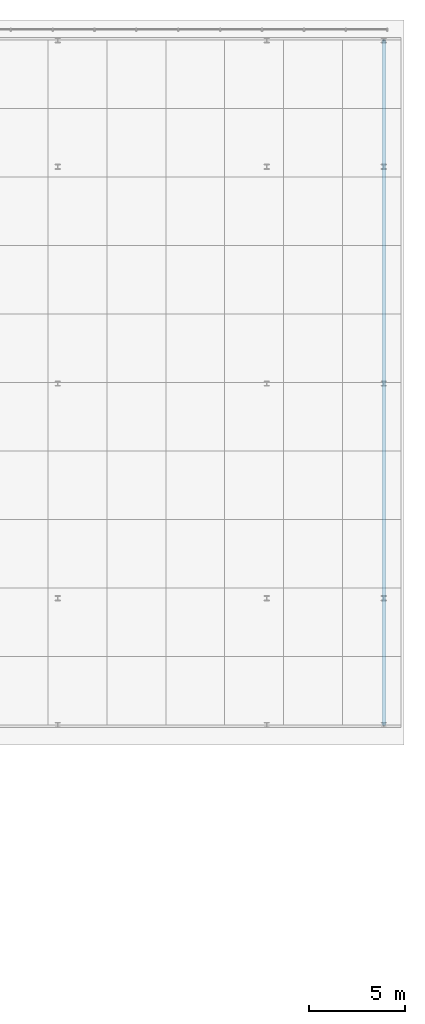
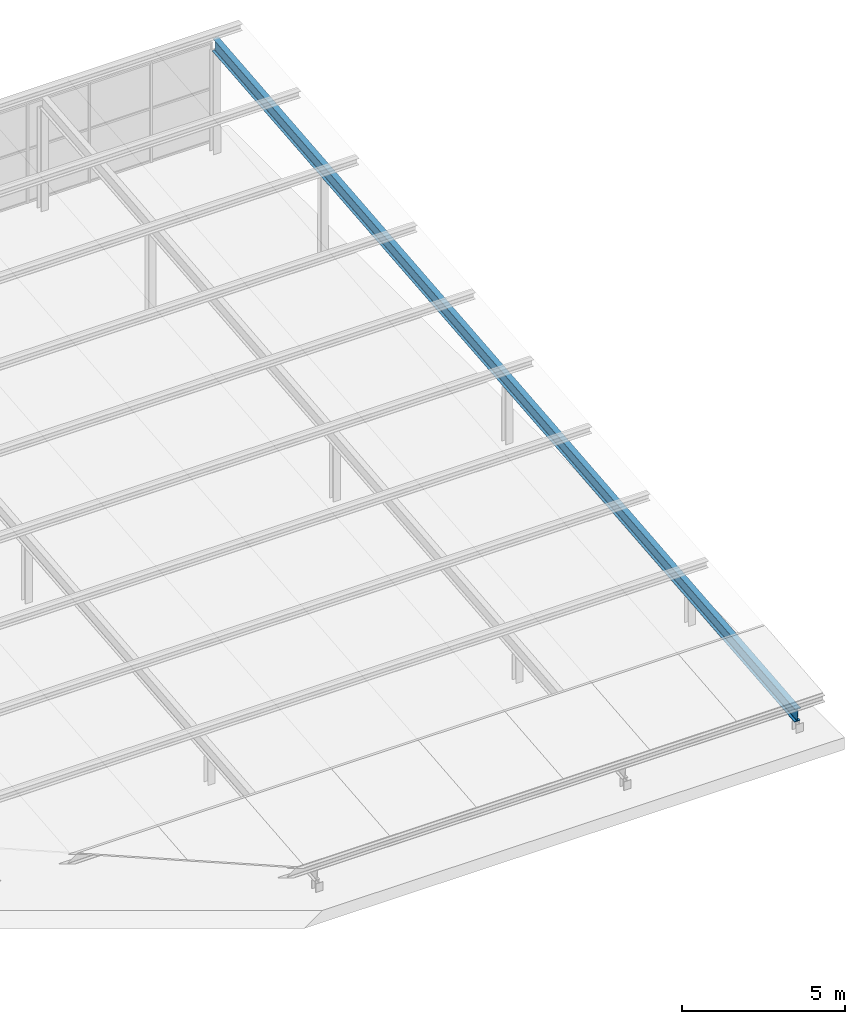
# One storey, part 23 of 44: 1 member.
"""IFC4 building model written with IfcOpenShell, lengths in metres."""

from ifc_helpers import new_model, si_unit, direction, frame, origin, origin_2d, place, context, subcontext, project, spatial, i_section, extrude, material, material_profile, profile_set, type_object, element, save


model = new_model("IFC4")

# Units and contexts
model_context = context("Model", 3, precision=1e-05, world=origin(), true_north=direction((0.0, 1.0)))
body_context = subcontext(model_context, "Body", "Model", "MODEL_VIEW")
ifc_project = project(units=[si_unit("LENGTHUNIT", "METRE"), si_unit("AREAUNIT", "SQUARE_METRE"), si_unit("VOLUMEUNIT", "CUBIC_METRE"), si_unit("PLANEANGLEUNIT", "RADIAN"), si_unit("MASSUNIT", "GRAM", prefix="KILO")], contexts=[model_context])

# Site, building, storey
site_placement = place(None, origin())
site = spatial("IfcSite", under=ifc_project, at=site_placement, CompositionType="ELEMENT")
building_placement = place(site_placement, origin())
building = spatial("IfcBuilding", under=site, at=building_placement, Name="Basin Gate Institute", CompositionType="ELEMENT")
storey_placement = place(building_placement, frame((0.0, 0.0, 27.0)))
storey = spatial("IfcBuildingStorey", under=building, at=storey_placement, Name="L05", CompositionType="ELEMENT", Elevation=27.0)

# Member
ifc_material = material(Name="Structural steel SN490", Category="steel")
ifc_material_profile = material_profile(ifc_material, i_section(OverallWidth=0.199951171875, OverallDepth=0.5, WebThickness=0.010009765625, FlangeThickness=0.01611328125, FilletRadius=0.02001953125, at=origin_2d()), Name="H500x200")
ifc_profile_set = profile_set([ifc_material_profile], Name="Structural steel SN490")
member_type = type_object("IfcMemberType", Name="Umbrella rafter SB1 R120", PredefinedType="RAFTER", material=ifc_profile_set)
member_placement = place(storey_placement, frame((150.5, 70.699951171875, 0.566650390625), z_axis=(0.0, 0.995324527335, 0.096587190073), x_axis=(-1.0, 0.0, 0.0)))
element("IfcMember", 1, at=member_placement, inside=storey, type_object=member_type, material=ifc_profile_set, Name="Umbrella roof rafter 4", PredefinedType="RAFTER", context=body_context, shape_type="SweptSolid", body=[
    extrude(i_section(OverallWidth=0.199951171875, OverallDepth=0.5, WebThickness=0.010009765625, FlangeThickness=0.01611328125, FilletRadius=0.02001953125, at=origin_2d()), origin(), (0.0, 0.0, 1.0), 35.86767578125),
])

save(model, "model.ifc")
